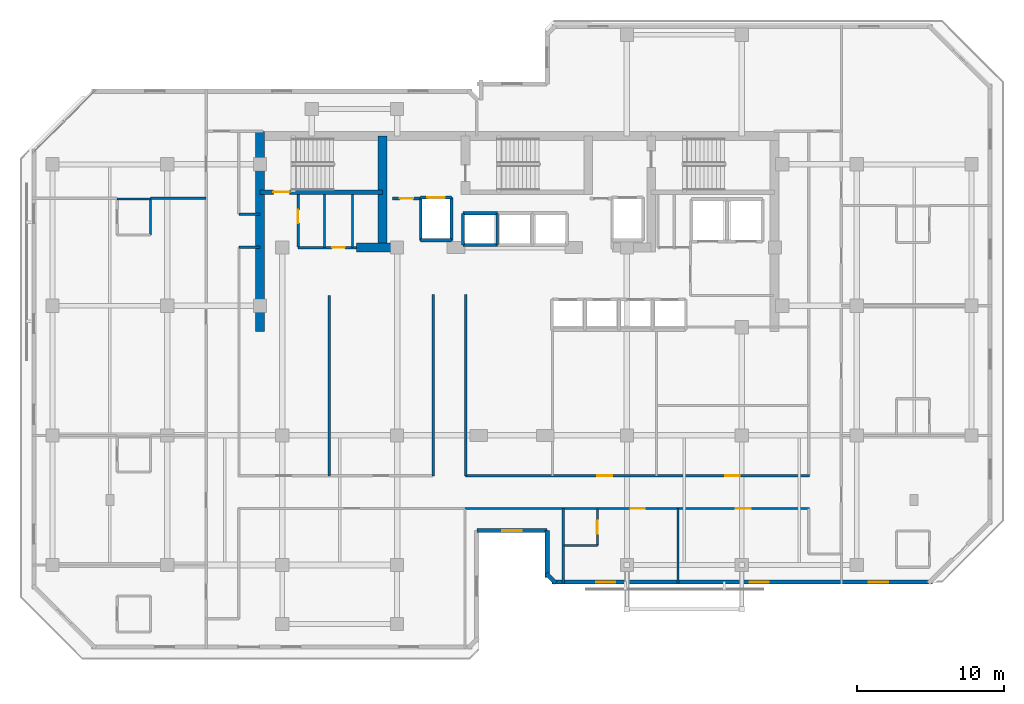
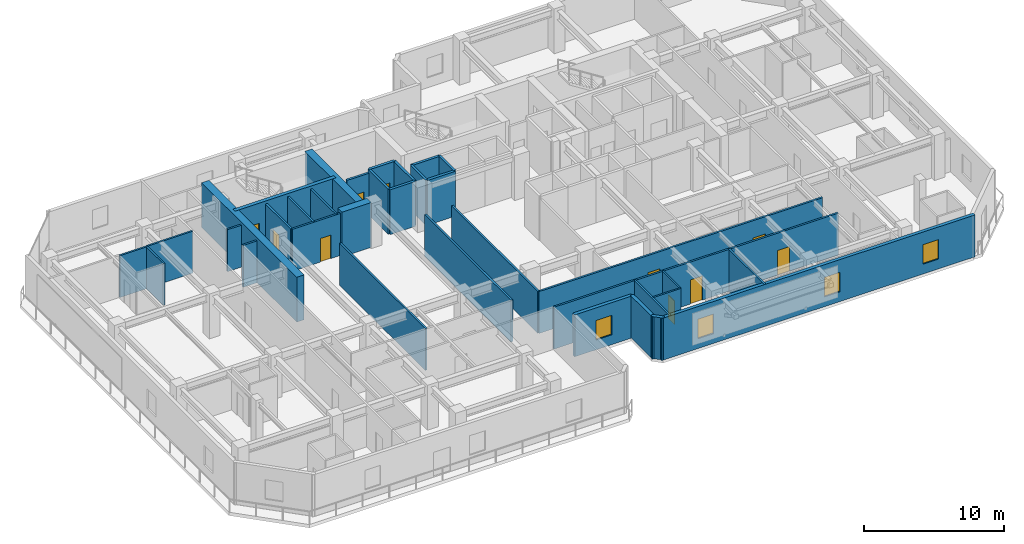
# One storey, part 5 of 10: 35 walls, 10 doors, 4 windows, 14 openings.
"""IFC4 building model written with IfcOpenShell, lengths in metres."""

from ifc_helpers import new_model, si_unit, direction, frame, frame_2d, origin, place, context, subcontext, project, spatial, rectangle, extrude, material, layer, layer_set, type_object, element, fill, save


model = new_model("IFC4")

# Units and contexts
model_context = context("Model", 3, precision=1e-05, world=origin(), true_north=direction((0.0, 1.0)))
body_context = subcontext(model_context, "Body", "Model", "MODEL_VIEW")
ifc_project = project(units=[si_unit("LENGTHUNIT", "METRE"), si_unit("AREAUNIT", "SQUARE_METRE"), si_unit("VOLUMEUNIT", "CUBIC_METRE"), si_unit("PLANEANGLEUNIT", "RADIAN"), si_unit("MASSUNIT", "GRAM", prefix="KILO")], contexts=[model_context])

# Site, building, storey
site_placement = place(None, origin())
site = spatial("IfcSite", under=ifc_project, at=site_placement, CompositionType="ELEMENT")
building_placement = place(site_placement, origin())
building = spatial("IfcBuilding", under=site, at=building_placement, Name="Kestravale Grand Hotel", CompositionType="ELEMENT")
storey_placement = place(building_placement, frame((0.0, 0.0, 189.0)))
storey = spatial("IfcBuildingStorey", under=building, at=storey_placement, Name="L47", CompositionType="ELEMENT", Elevation=189.0)

# Walls
ifc_material_1 = material(Name="Concrete f'c 50 MPa", Category="concrete")
ifc_layer_1 = layer(ifc_material_1, 0.60009765625)
ifc_layer_set_1 = layer_set([ifc_layer_1], Name="EW-CORE-600")
wall_type_1 = type_object("IfcWallType", Name="EW-CORE-600", PredefinedType="SHEAR", material=ifc_layer_set_1)
wall_1_placement = place(storey_placement, frame((21.89990234375, 27.050048828125, 0.0), z_axis=(0.0, 0.0, 1.0), x_axis=(0.0, 1.0, 0.0)))
element("IfcWall", 1, at=wall_1_placement, inside=storey, type_object=wall_type_1, Name="L47 core shear wall W1", PredefinedType="SHEAR", context=body_context, shape_type="SweptSolid", body=[
    extrude(rectangle(XDim=13.570068359375, YDim=0.60009765625, at=frame_2d((6.78515625, 0.0))), origin(), (0.0, 0.0, 1.0), 3.89990234375),
])
wall_2_placement = place(storey_placement, frame((28.449951171875, 32.75, 0.0), z_axis=(0.0, 0.0, 1.0), x_axis=(1.0, 0.0, 0.0)))
element("IfcWall", 2, at=wall_2_placement, inside=storey, type_object=wall_type_1, Name="L47 core shear wall S1", PredefinedType="SHEAR", context=body_context, shape_type="SweptSolid", body=[
    extrude(rectangle(XDim=2.400146484375, YDim=0.60009765625, at=frame_2d((1.2001953125, 0.0))), origin(), (0.0, 0.0, 1.0), 3.89990234375),
])
wall_3_placement = place(storey_placement, frame((30.219970703125, 33.050048828125, 0.0), z_axis=(0.0, 0.0, 1.0), x_axis=(0.0, 1.0, 0.0)))
element("IfcWall", 3, at=wall_3_placement, inside=storey, type_object=wall_type_1, Name="L47 core shear wall X1", PredefinedType="SHEAR", context=body_context, shape_type="SweptSolid", body=[
    extrude(rectangle(XDim=7.27001953125, YDim=0.60009765625, at=frame_2d((3.635009765625, 0.0))), origin(), (0.0, 0.0, 1.0), 3.89990234375),
])

# Wall, opening, window
ifc_material_2 = material(Name="Precast concrete f'c 45 MPa", Category="concrete")
ifc_layer_2 = layer(ifc_material_2, 0.280029296875)
ifc_layer_set_2 = layer_set([ifc_layer_2], Name="EW-PREC-280")
wall_type_2 = type_object("IfcWallType", Name="EW-PREC-280", PredefinedType="SOLIDWALL", material=ifc_layer_set_2)
wall_4_placement = place(storey_placement, frame((36.610107421875, 13.5400390625, 0.0), z_axis=(0.0, 0.0, 1.0), x_axis=(1.0, 0.0, 0.0)))
wall_4 = element("IfcWall", 4, at=wall_4_placement, inside=storey, type_object=wall_type_2, Name="L47 fluted precast facade wall 4", PredefinedType="SOLIDWALL", context=body_context, shape_type="SweptSolid", body=[
    extrude(rectangle(XDim=4.77978515625, YDim=0.280029296875, at=frame_2d((2.389892578125, 0.0))), origin(), (0.0, 0.0, 1.0), 3.64990234375),
])
opening_1_placement = place(wall_4_placement, frame((1.739990234375, 0.0, 0.85009765625)))
opening_1 = element("IfcOpeningElement", 5, at=opening_1_placement, cuts=wall_4, Name="Opening W-GUEST-1300", PredefinedType="OPENING", context=body_context, shape_type="SweptSolid", body=[
    extrude(rectangle(XDim=1.300048828125, YDim=1.699951171875, at=frame_2d((0.64990234375, 0.85009765625))), frame((0.0, 0.14990234375, 0.0), z_axis=(0.0, -1.0, 0.0), x_axis=(1.0, 0.0, 0.0)), (0.0, 0.0, 1.0), 0.300048828125),
])
ifc_material_3 = material(Name="Insulated low-E double glazing in aluminium frame", Category="aluminium")
window_type = type_object("IfcWindowType", Name="W-GUEST-1300", PartitioningType="SINGLE_PANEL", PredefinedType="WINDOW", material=ifc_material_3)
window_1_placement = place(opening_1_placement, origin())
window_1 = element("IfcWindow", 6, at=window_1_placement, inside=storey, type_object=window_type, Name="L47 exterior window 4.1", OverallHeight=1.699951171875, OverallWidth=1.300048828125, PartitioningType="SINGLE_PANEL", PredefinedType="WINDOW", context=body_context, shape_type="SweptSolid", body=[
    extrude(rectangle(XDim=1.300048828125, YDim=1.699951171875, at=frame_2d((0.64990234375, 0.85009765625))), frame((0.0, 0.030029296875, 0.0), z_axis=(0.0, -1.0, 0.0), x_axis=(1.0, 0.0, 0.0)), (0.0, 0.0, 1.0), 0.06005859375),
])
fill(opening_1, window_1)

# Walls
wall_5_placement = place(storey_placement, frame((41.389892578125, 13.5400390625, 0.0), z_axis=(0.0, 0.0, 1.0), x_axis=(0.0, -1.0, 0.0)))
element("IfcWall", 7, at=wall_5_placement, inside=storey, type_object=wall_type_2, Name="L47 fluted precast facade wall 5", PredefinedType="SOLIDWALL", context=body_context, shape_type="SweptSolid", body=[
    extrude(rectangle(XDim=3.179931640625, YDim=0.280029296875, at=frame_2d((1.58984375, 0.0))), origin(), (0.0, 0.0, 1.0), 3.64990234375),
])
wall_6_placement = place(storey_placement, frame((41.32080078125, 10.627197265625, 0.0), z_axis=(0.0, 0.0, 1.0), x_axis=(0.707106781187, -0.707106781187, 0.0)))
element("IfcWall", 8, at=wall_6_placement, inside=storey, type_object=wall_type_2, Name="L47 fluted precast facade wall 6", PredefinedType="SOLIDWALL", context=body_context, shape_type="SweptSolid", body=[
    extrude(rectangle(XDim=0.928466796875, YDim=0.280029296875, at=frame_2d((0.46435546875, 0.0))), origin(), (0.0, 0.0, 1.0), 3.64990234375),
])

# Wall, openings, windows
wall_7_placement = place(storey_placement, frame((41.7099609375, 10.0400390625, 0.0), z_axis=(0.0, 0.0, 1.0), x_axis=(1.0, 0.0, 0.0)))
wall_7 = element("IfcWall", 9, at=wall_7_placement, inside=storey, type_object=wall_type_2, Name="L47 fluted precast facade wall 7", PredefinedType="SOLIDWALL", context=body_context, shape_type="SweptSolid", body=[
    extrude(rectangle(XDim=25.830078125, YDim=0.280029296875, at=frame_2d((12.9150390625, 0.0))), origin(), (0.0, 0.0, 1.0), 3.64990234375),
])
opening_2_placement = place(wall_7_placement, frame((3.0048828125, 0.0, 0.85009765625)))
opening_2 = element("IfcOpeningElement", 10, at=opening_2_placement, cuts=wall_7, Name="Opening W-GUEST-1300", PredefinedType="OPENING", context=body_context, shape_type="SweptSolid", body=[
    extrude(rectangle(XDim=1.300048828125, YDim=1.699951171875, at=frame_2d((0.64990234375, 0.85009765625))), frame((0.0, 0.14990234375, 0.0), z_axis=(0.0, -1.0, 0.0), x_axis=(1.0, 0.0, 0.0)), (0.0, 0.0, 1.0), 0.300048828125),
])
opening_3_placement = place(wall_7_placement, frame((13.4150390625, 0.0, 0.85009765625)))
opening_3 = element("IfcOpeningElement", 11, at=opening_3_placement, cuts=wall_7, Name="Opening W-GUEST-1300", PredefinedType="OPENING", context=body_context, shape_type="SweptSolid", body=[
    extrude(rectangle(XDim=1.300048828125, YDim=1.699951171875, at=frame_2d((0.64990234375, 0.85009765625))), frame((0.0, 0.14990234375, 0.0), z_axis=(0.0, -1.0, 0.0), x_axis=(1.0, 0.0, 0.0)), (0.0, 0.0, 1.0), 0.300048828125),
])
opening_4_placement = place(wall_7_placement, frame((21.52490234375, 0.0, 0.85009765625)))
opening_4 = element("IfcOpeningElement", 12, at=opening_4_placement, cuts=wall_7, Name="Opening W-GUEST-1300", PredefinedType="OPENING", context=body_context, shape_type="SweptSolid", body=[
    extrude(rectangle(XDim=1.300048828125, YDim=1.699951171875, at=frame_2d((0.64990234375, 0.85009765625))), frame((0.0, 0.14990234375, 0.0), z_axis=(0.0, -1.0, 0.0), x_axis=(1.0, 0.0, 0.0)), (0.0, 0.0, 1.0), 0.300048828125),
])
window_2_placement = place(opening_2_placement, origin())
window_2 = element("IfcWindow", 13, at=window_2_placement, inside=storey, type_object=window_type, Name="L47 exterior window 7.1", OverallHeight=1.699951171875, OverallWidth=1.300048828125, PartitioningType="SINGLE_PANEL", PredefinedType="WINDOW", context=body_context, shape_type="SweptSolid", body=[
    extrude(rectangle(XDim=1.300048828125, YDim=1.699951171875, at=frame_2d((0.64990234375, 0.85009765625))), frame((0.0, 0.030029296875, 0.0), z_axis=(0.0, -1.0, 0.0), x_axis=(1.0, 0.0, 0.0)), (0.0, 0.0, 1.0), 0.06005859375),
])
fill(opening_2, window_2)
window_3_placement = place(opening_3_placement, origin())
window_3 = element("IfcWindow", 14, at=window_3_placement, inside=storey, type_object=window_type, Name="L47 exterior window 7.2", OverallHeight=1.699951171875, OverallWidth=1.300048828125, PartitioningType="SINGLE_PANEL", PredefinedType="WINDOW", context=body_context, shape_type="SweptSolid", body=[
    extrude(rectangle(XDim=1.300048828125, YDim=1.699951171875, at=frame_2d((0.64990234375, 0.85009765625))), frame((0.0, 0.030029296875, 0.0), z_axis=(0.0, -1.0, 0.0), x_axis=(1.0, 0.0, 0.0)), (0.0, 0.0, 1.0), 0.06005859375),
])
fill(opening_3, window_3)
window_4_placement = place(opening_4_placement, origin())
window_4 = element("IfcWindow", 15, at=window_4_placement, inside=storey, type_object=window_type, Name="L47 exterior window 7.3", OverallHeight=1.699951171875, OverallWidth=1.300048828125, PartitioningType="SINGLE_PANEL", PredefinedType="WINDOW", context=body_context, shape_type="SweptSolid", body=[
    extrude(rectangle(XDim=1.300048828125, YDim=1.699951171875, at=frame_2d((0.64990234375, 0.85009765625))), frame((0.0, 0.030029296875, 0.0), z_axis=(0.0, -1.0, 0.0), x_axis=(1.0, 0.0, 0.0)), (0.0, 0.0, 1.0), 0.06005859375),
])
fill(opening_4, window_4)

# Wall, opening, door
ifc_material_4 = material(Name="Concrete f'c 45 MPa", Category="concrete")
ifc_layer_3 = layer(ifc_material_4, 0.300048828125)
ifc_layer_set_3 = layer_set([ifc_layer_3], Name="EW-STAIR-300")
wall_type_3 = type_object("IfcWallType", Name="EW-STAIR-300", PredefinedType="SHEAR", material=ifc_layer_set_3)
wall_8_placement = place(storey_placement, frame((21.89990234375, 36.52001953125, 0.0), z_axis=(0.0, 0.0, 1.0), x_axis=(1.0, 0.0, 0.0)))
wall_8 = element("IfcWall", 16, at=wall_8_placement, inside=storey, type_object=wall_type_3, Name="L47 stair enclosure shear wall SST1", PredefinedType="SHEAR", context=body_context, shape_type="SweptSolid", body=[
    extrude(rectangle(XDim=8.320068359375, YDim=0.300048828125, at=frame_2d((4.16015625, 0.0))), origin(), (0.0, 0.0, 1.0), 3.89990234375),
])
opening_5_placement = place(wall_8_placement, frame((0.89990234375, 0.0, 0.0)))
opening_5 = element("IfcOpeningElement", 17, at=opening_5_placement, cuts=wall_8, Name="Opening D-ST-1100", PredefinedType="OPENING", context=body_context, shape_type="SweptSolid", body=[
    extrude(rectangle(XDim=1.10009765625, YDim=2.14990234375, at=frame_2d((0.550048828125, 1.074951171875))), frame((0.0, 0.159912109375, 0.0), z_axis=(0.0, -1.0, 0.0), x_axis=(1.0, 0.0, 0.0)), (0.0, 0.0, 1.0), 0.320068359375),
])
ifc_material_5 = material(Name="Galvanised 90-minute fire-rated steel stair door", Category="steel")
door_type_1 = type_object("IfcDoorType", Name="D-ST-1100", OperationType="NOTDEFINED", PredefinedType="DOOR", material=ifc_material_5)
door_1_placement = place(opening_5_placement, origin())
door_1 = element("IfcDoor", 18, at=door_1_placement, inside=storey, type_object=door_type_1, Name="L47 Stair ST-1 fire door", OperationType="SINGLE_SWING_RIGHT", OverallHeight=2.14990234375, OverallWidth=1.10009765625, PredefinedType="DOOR", context=body_context, shape_type="SweptSolid", body=[
    extrude(rectangle(XDim=1.10009765625, YDim=2.14990234375, at=frame_2d((0.550048828125, 1.074951171875))), frame((0.0, 0.02490234375, 0.0), z_axis=(0.0, -1.0, 0.0), x_axis=(1.0, 0.0, 0.0)), (0.0, 0.0, 1.0), 0.050048828125),
])
fill(opening_5, door_1)

ifc_material_6 = material(Name="Acoustic fire-rated gypsum board partition", Category="other")
ifc_layer_4 = layer(ifc_material_6, 0.159912109375)
ifc_layer_set_4 = layer_set([ifc_layer_4], Name="IW-CORR-160")
wall_type_4 = type_object("IfcWallType", Name="IW-CORR-160", PredefinedType="PARTITIONING", material=ifc_layer_set_4)
wall_9_placement = place(storey_placement, frame((24.47998046875, 32.800048828125, 0.0), z_axis=(0.0, 0.0, 1.0), x_axis=(0.0, 1.0, 0.0)))
wall_9 = element("IfcWall", 19, at=wall_9_placement, inside=storey, type_object=wall_type_4, Name="L47 west core vestibule wall", PredefinedType="PARTITIONING", context=body_context, shape_type="SweptSolid", body=[
    extrude(rectangle(XDim=3.570068359375, YDim=0.159912109375, at=frame_2d((1.78515625, 0.0))), origin(), (0.0, 0.0, 1.0), 3.64990234375),
])
opening_6_placement = place(wall_9_placement, frame((1.603515625, 0.0, 0.0)))
opening_6 = element("IfcOpeningElement", 20, at=opening_6_placement, cuts=wall_9, Name="Opening D-SH-900", PredefinedType="OPENING", context=body_context, shape_type="SweptSolid", body=[
    extrude(rectangle(XDim=0.89990234375, YDim=2.10009765625, at=frame_2d((0.449951171875, 1.050048828125))), frame((0.0, 0.08984375, 0.0), z_axis=(0.0, -1.0, 0.0), x_axis=(1.0, 0.0, 0.0)), (0.0, 0.0, 1.0), 0.179931640625),
])
ifc_material_7 = material(Name="Galvanised 90-minute shaft and service fire door", Category="steel")
door_type_2 = type_object("IfcDoorType", Name="D-SH-900", OperationType="NOTDEFINED", PredefinedType="DOOR", material=ifc_material_7)
door_2_placement = place(opening_6_placement, origin())
door_2 = element("IfcDoor", 21, at=door_2_placement, inside=storey, type_object=door_type_2, Name="D-L47-HK", OperationType="SINGLE_SWING_RIGHT", OverallHeight=2.10009765625, OverallWidth=0.89990234375, PredefinedType="DOOR", context=body_context, shape_type="SweptSolid", body=[
    extrude(rectangle(XDim=0.89990234375, YDim=2.10009765625, at=frame_2d((0.449951171875, 1.050048828125))), frame((0.0, 0.02490234375, 0.0), z_axis=(0.0, -1.0, 0.0), x_axis=(1.0, 0.0, 0.0)), (0.0, 0.0, 1.0), 0.050048828125),
])
fill(opening_6, door_2)

wall_10_placement = place(storey_placement, frame((24.47998046875, 32.75, 0.0), z_axis=(0.0, 0.0, 1.0), x_axis=(1.0, 0.0, 0.0)))
wall_10 = element("IfcWall", 22, at=wall_10_placement, inside=storey, type_object=wall_type_4, Name="W-L47-CWS", PredefinedType="PARTITIONING", context=body_context, shape_type="SweptSolid", body=[
    extrude(rectangle(XDim=3.969970703125, YDim=0.159912109375, at=frame_2d((1.98486328125, 0.0))), origin(), (0.0, 0.0, 1.0), 3.64990234375),
])
opening_7_placement = place(wall_10_placement, frame((2.31005859375, 0.0, 0.0)))
opening_7 = element("IfcOpeningElement", 23, at=opening_7_placement, cuts=wall_10, Name="Opening D-SH-860", PredefinedType="OPENING", context=body_context, shape_type="SweptSolid", body=[
    extrude(rectangle(XDim=0.860107421875, YDim=2.050048828125, at=frame_2d((0.43017578125, 1.02490234375))), frame((0.0, 0.08984375, 0.0), z_axis=(0.0, -1.0, 0.0), x_axis=(1.0, 0.0, 0.0)), (0.0, 0.0, 1.0), 0.179931640625),
])
ifc_material_8 = material(Name="Galvanised 90-minute riser fire door", Category="steel")
door_type_3 = type_object("IfcDoorType", Name="D-SH-860", OperationType="NOTDEFINED", PredefinedType="DOOR", material=ifc_material_8)
door_3_placement = place(opening_7_placement, origin())
door_3 = element("IfcDoor", 24, at=door_3_placement, inside=storey, type_object=door_type_3, Name="D-L47-IDF", OperationType="SINGLE_SWING_RIGHT", OverallHeight=2.050048828125, OverallWidth=0.860107421875, PredefinedType="DOOR", context=body_context, shape_type="SweptSolid", body=[
    extrude(rectangle(XDim=0.860107421875, YDim=2.050048828125, at=frame_2d((0.43017578125, 1.02490234375))), frame((0.0, 0.02490234375, 0.0), z_axis=(0.0, -1.0, 0.0), x_axis=(1.0, 0.0, 0.0)), (0.0, 0.0, 1.0), 0.050048828125),
])
fill(opening_7, door_3)

# Wall, openings, doors
wall_11_placement = place(storey_placement, frame((35.85009765625, 17.260009765625, 0.0), z_axis=(0.0, 0.0, 1.0), x_axis=(1.0, 0.0, 0.0)))
wall_11 = element("IfcWall", 25, at=wall_11_placement, inside=storey, type_object=wall_type_4, Name="W-L47-CE-N", PredefinedType="PARTITIONING", context=body_context, shape_type="SweptSolid", body=[
    extrude(rectangle(XDim=23.349853515625, YDim=0.159912109375, at=frame_2d((11.6748046875, 0.0))), origin(), (0.0, 0.0, 1.0), 3.64990234375),
])
opening_8_placement = place(wall_11_placement, frame((8.949951171875, 0.0, 0.0)))
opening_8 = element("IfcOpeningElement", 26, at=opening_8_placement, cuts=wall_11, Name="Opening D-GUEST-1000", PredefinedType="OPENING", context=body_context, shape_type="SweptSolid", body=[
    extrude(rectangle(XDim=1.0, YDim=2.14990234375, at=frame_2d((0.5, 1.074951171875))), frame((0.0, 0.08984375, 0.0), z_axis=(0.0, -1.0, 0.0), x_axis=(1.0, 0.0, 0.0)), (0.0, 0.0, 1.0), 0.179931640625),
])
opening_9_placement = place(wall_11_placement, frame((17.625, 0.0, 0.0)))
opening_9 = element("IfcOpeningElement", 27, at=opening_9_placement, cuts=wall_11, Name="Opening D-GUEST-1000", PredefinedType="OPENING", context=body_context, shape_type="SweptSolid", body=[
    extrude(rectangle(XDim=1.0, YDim=2.14990234375, at=frame_2d((0.5, 1.074951171875))), frame((0.0, 0.08984375, 0.0), z_axis=(0.0, -1.0, 0.0), x_axis=(1.0, 0.0, 0.0)), (0.0, 0.0, 1.0), 0.179931640625),
])
ifc_material_9 = material(Name="Accessible walnut veneer hotel entrance fire door", Category="wood")
door_type_4 = type_object("IfcDoorType", Name="D-GUEST-1000", OperationType="NOTDEFINED", PredefinedType="DOOR", material=ifc_material_9)
door_4_placement = place(opening_8_placement, origin())
door_4 = element("IfcDoor", 28, at=door_4_placement, inside=storey, type_object=door_type_4, Name="D-L47-RECL-E1", OperationType="SINGLE_SWING_LEFT", OverallHeight=2.14990234375, OverallWidth=1.0, PredefinedType="DOOR", context=body_context, shape_type="SweptSolid", body=[
    extrude(rectangle(XDim=1.0, YDim=2.14990234375, at=frame_2d((0.5, 1.074951171875))), frame((0.0, 0.02490234375, 0.0), z_axis=(0.0, -1.0, 0.0), x_axis=(1.0, 0.0, 0.0)), (0.0, 0.0, 1.0), 0.050048828125),
])
fill(opening_8, door_4)
door_5_placement = place(opening_9_placement, origin())
door_5 = element("IfcDoor", 29, at=door_5_placement, inside=storey, type_object=door_type_4, Name="D-L47-RECL-E2", OperationType="SINGLE_SWING_RIGHT", OverallHeight=2.14990234375, OverallWidth=1.0, PredefinedType="DOOR", context=body_context, shape_type="SweptSolid", body=[
    extrude(rectangle(XDim=1.0, YDim=2.14990234375, at=frame_2d((0.5, 1.074951171875))), frame((0.0, 0.02490234375, 0.0), z_axis=(0.0, -1.0, 0.0), x_axis=(1.0, 0.0, 0.0)), (0.0, 0.0, 1.0), 0.050048828125),
])
fill(opening_9, door_5)

# Walls
for number, where, z_axis, x_axis, name in (
    (30, (33.64990234375, 17.260009765625, 0.0), (0.0, 0.0, 1.0), (0.0, 1.0, 0.0), "W-L47-TRUNK-W"),
    (31, (35.85009765625, 17.260009765625, 0.0), (0.0, 0.0, 1.0), (0.0, 1.0, 0.0), "W-L47-TRUNK-E"),
):
    element("IfcWall", number, at=place(storey_placement, frame(where, z_axis=z_axis, x_axis=x_axis)), inside=storey, type_object=wall_type_4, Name=name, PredefinedType="PARTITIONING", context=body_context, shape_type="SweptSolid", body=[
        extrude(rectangle(XDim=12.2900390625, YDim=0.159912109375, at=frame_2d((6.14501953125, 0.0))), origin(), (0.0, 0.0, 1.0), 3.64990234375),
    ])

# Wall, openings, doors
wall_12_placement = place(storey_placement, frame((35.800048828125, 15.0400390625, 0.0), z_axis=(0.0, 0.0, 1.0), x_axis=(1.0, 0.0, 0.0)))
wall_12 = element("IfcWall", 32, at=wall_12_placement, inside=storey, type_object=wall_type_4, Name="W-L47-CE-S", PredefinedType="PARTITIONING", context=body_context, shape_type="SweptSolid", body=[
    extrude(rectangle(XDim=23.39990234375, YDim=0.159912109375, at=frame_2d((11.699951171875, 0.0))), origin(), (0.0, 0.0, 1.0), 3.64990234375),
])
opening_10_placement = place(wall_12_placement, frame((11.25, 0.0, 0.0)))
opening_10 = element("IfcOpeningElement", 33, at=opening_10_placement, cuts=wall_12, Name="Opening D-GUEST-950", PredefinedType="OPENING", context=body_context, shape_type="SweptSolid", body=[
    extrude(rectangle(XDim=0.949951171875, YDim=2.10009765625, at=frame_2d((0.47509765625, 1.050048828125))), frame((0.0, 0.08984375, 0.0), z_axis=(0.0, -1.0, 0.0), x_axis=(1.0, 0.0, 0.0)), (0.0, 0.0, 1.0), 0.179931640625),
])
opening_11_placement = place(wall_12_placement, frame((18.39990234375, 0.0, 0.0)))
opening_11 = element("IfcOpeningElement", 34, at=opening_11_placement, cuts=wall_12, Name="Opening D-GUEST-1000", PredefinedType="OPENING", context=body_context, shape_type="SweptSolid", body=[
    extrude(rectangle(XDim=1.0, YDim=2.14990234375, at=frame_2d((0.5, 1.074951171875))), frame((0.0, 0.08984375, 0.0), z_axis=(0.0, -1.0, 0.0), x_axis=(1.0, 0.0, 0.0)), (0.0, 0.0, 1.0), 0.179931640625),
])
door_6_placement = place(opening_11_placement, origin())
door_6 = element("IfcDoor", 35, at=door_6_placement, inside=storey, type_object=door_type_4, Name="D-L47-AME", OperationType="SINGLE_SWING_RIGHT", OverallHeight=2.14990234375, OverallWidth=1.0, PredefinedType="DOOR", context=body_context, shape_type="SweptSolid", body=[
    extrude(rectangle(XDim=1.0, YDim=2.14990234375, at=frame_2d((0.5, 1.074951171875))), frame((0.0, 0.02490234375, 0.0), z_axis=(0.0, -1.0, 0.0), x_axis=(1.0, 0.0, 0.0)), (0.0, 0.0, 1.0), 0.050048828125),
])
fill(opening_11, door_6)
ifc_material_10 = material(Name="Walnut veneer hotel guestroom entrance fire door", Category="wood")
door_type_5 = type_object("IfcDoorType", Name="D-GUEST-950", OperationType="NOTDEFINED", PredefinedType="DOOR", material=ifc_material_10)
door_7_placement = place(opening_10_placement, origin())
door_7 = element("IfcDoor", 36, at=door_7_placement, inside=storey, type_object=door_type_5, Name="D-L47-U01-ENT", OperationType="SINGLE_SWING_LEFT", OverallHeight=2.10009765625, OverallWidth=0.949951171875, PredefinedType="DOOR", context=body_context, shape_type="SweptSolid", body=[
    extrude(rectangle(XDim=0.949951171875, YDim=2.10009765625, at=frame_2d((0.47509765625, 1.050048828125))), frame((0.0, 0.02490234375, 0.0), z_axis=(0.0, -1.0, 0.0), x_axis=(1.0, 0.0, 0.0)), (0.0, 0.0, 1.0), 0.050048828125),
])
fill(opening_10, door_7)

# Walls
for number, where, z_axis, x_axis, name in (
    (37, (20.4599609375, 35.02001953125, 0.0), (0.0, 0.0, 1.0), (1.0, 0.0, 0.0), "W-L47-SW-CN"),
    (38, (20.4599609375, 32.780029296875, 0.0), (0.0, 0.0, 1.0), (1.0, 0.0, 0.0), "W-L47-SW-CS"),
):
    element("IfcWall", number, at=place(storey_placement, frame(where, z_axis=z_axis, x_axis=x_axis)), inside=storey, type_object=wall_type_4, Name=name, PredefinedType="PARTITIONING", context=body_context, shape_type="SweptSolid", body=[
        extrude(rectangle(XDim=1.43994140625, YDim=0.159912109375, at=frame_2d((0.719970703125, 0.0))), origin(), (0.0, 0.0, 1.0), 3.64990234375),
    ])

# Wall, opening, door
ifc_material_11 = material(Name="Fire-rated gypsum board on steel studs with mineral wool", Category="steel")
ifc_layer_5 = layer(ifc_material_11, 0.179931640625)
ifc_layer_set_5 = layer_set([ifc_layer_5], Name="IW-FSAE-180")
wall_type_5 = type_object("IfcWallType", Name="IW-FSAE-180", PredefinedType="PARTITIONING", material=ifc_layer_set_5)
wall_13_placement = place(storey_placement, frame((30.89990234375, 36.080078125, 0.0), z_axis=(0.0, 0.0, 1.0), x_axis=(1.0, 0.0, 0.0)))
wall_13 = element("IfcWall", 39, at=wall_13_placement, inside=storey, type_object=wall_type_5, Name="L47 FSAE Lobby 1 smoke barrier", PredefinedType="PARTITIONING", context=body_context, shape_type="SweptSolid", body=[
    extrude(rectangle(XDim=1.85009765625, YDim=0.179931640625, at=frame_2d((0.925048828125, 0.0))), origin(), (0.0, 0.0, 1.0), 3.64990234375),
])
opening_12_placement = place(wall_13_placement, frame((0.47998046875, 0.0, 0.0)))
opening_12 = element("IfcOpeningElement", 40, at=opening_12_placement, cuts=wall_13, Name="Opening D-FSAE-1000", PredefinedType="OPENING", context=body_context, shape_type="SweptSolid", body=[
    extrude(rectangle(XDim=0.89990234375, YDim=2.14990234375, at=frame_2d((0.449951171875, 1.074951171875))), frame((0.0, 0.099853515625, 0.0), z_axis=(0.0, -1.0, 0.0), x_axis=(1.0, 0.0, 0.0)), (0.0, 0.0, 1.0), 0.199951171875),
])
ifc_material_12 = material(Name="Smoke-gasketed FSAE lobby fire door", Category="steel")
door_type_6 = type_object("IfcDoorType", Name="D-FSAE-1000", OperationType="NOTDEFINED", PredefinedType="DOOR", material=ifc_material_12)
door_8_placement = place(opening_12_placement, origin())
door_8 = element("IfcDoor", 41, at=door_8_placement, inside=storey, type_object=door_type_6, Name="L47 FSAE Lobby 1 fire door", OperationType="SINGLE_SWING_RIGHT", OverallHeight=2.14990234375, OverallWidth=0.89990234375, PredefinedType="DOOR", context=body_context, shape_type="SweptSolid", body=[
    extrude(rectangle(XDim=0.89990234375, YDim=2.14990234375, at=frame_2d((0.449951171875, 1.074951171875))), frame((0.0, 0.02490234375, 0.0), z_axis=(0.0, -1.0, 0.0), x_axis=(1.0, 0.0, 0.0)), (0.0, 0.0, 1.0), 0.050048828125),
])
fill(opening_12, door_8)

ifc_material_13 = material(Name="Moisture-resistant tile-backer plumbing chase wall", Category="other")
ifc_layer_6 = layer(ifc_material_13, 0.139892578125)
ifc_layer_set_6 = layer_set([ifc_layer_6], Name="IW-PLB-140")
wall_type_6 = type_object("IfcWallType", Name="IW-PLB-140", PredefinedType="PLUMBINGWALL", material=ifc_layer_set_6)
wall_14_placement = place(storey_placement, frame((44.7900390625, 12.530029296875, 0.0), z_axis=(0.0, 0.0, 1.0), x_axis=(0.0, 1.0, 0.0)))
wall_14 = element("IfcWall", 42, at=wall_14_placement, inside=storey, type_object=wall_type_6, Name="W-L47-U01-BE", PredefinedType="PLUMBINGWALL", context=body_context, shape_type="SweptSolid", body=[
    extrude(rectangle(XDim=2.489990234375, YDim=0.139892578125, at=frame_2d((1.2451171875, 0.0))), origin(), (0.0, 0.0, 1.0), 3.64990234375),
])
opening_13_placement = place(wall_14_placement, frame((0.804931640625, 0.0, 0.0)))
opening_13 = element("IfcOpeningElement", 43, at=opening_13_placement, cuts=wall_14, Name="Opening D-BATH-880", PredefinedType="OPENING", context=body_context, shape_type="SweptSolid", body=[
    extrude(rectangle(XDim=0.8798828125, YDim=2.050048828125, at=frame_2d((0.43994140625, 1.02490234375))), frame((0.0, 0.079833984375, 0.0), z_axis=(0.0, -1.0, 0.0), x_axis=(1.0, 0.0, 0.0)), (0.0, 0.0, 1.0), 0.159912109375),
])
ifc_material_14 = material(Name="Moisture-sealed walnut en-suite bathroom door", Category="wood")
door_type_7 = type_object("IfcDoorType", Name="D-BATH-880", OperationType="NOTDEFINED", PredefinedType="DOOR", material=ifc_material_14)
door_9_placement = place(opening_13_placement, origin())
door_9 = element("IfcDoor", 44, at=door_9_placement, inside=storey, type_object=door_type_7, Name="D-L47-U01-BATH", OperationType="SINGLE_SWING_RIGHT", OverallHeight=2.050048828125, OverallWidth=0.8798828125, PredefinedType="DOOR", context=body_context, shape_type="SweptSolid", body=[
    extrude(rectangle(XDim=0.8798828125, YDim=2.050048828125, at=frame_2d((0.43994140625, 1.02490234375))), frame((0.0, 0.02490234375, 0.0), z_axis=(0.0, -1.0, 0.0), x_axis=(1.0, 0.0, 0.0)), (0.0, 0.0, 1.0), 0.050048828125),
])
fill(opening_13, door_9)

# Walls
wall_15_placement = place(storey_placement, frame((42.5400390625, 12.530029296875, 0.0), z_axis=(0.0, 0.0, 1.0), x_axis=(1.0, 0.0, 0.0)))
element("IfcWall", 45, at=wall_15_placement, inside=storey, type_object=wall_type_6, Name="W-L47-U01-BS", PredefinedType="PLUMBINGWALL", context=body_context, shape_type="SweptSolid", body=[
    extrude(rectangle(XDim=2.25, YDim=0.139892578125, at=frame_2d((1.125, 0.0))), origin(), (0.0, 0.0, 1.0), 3.64990234375),
])
wall_16_placement = place(storey_placement, frame((14.449951171875, 33.610107421875, 0.0), z_axis=(0.0, 0.0, 1.0), x_axis=(0.0, 1.0, 0.0)))
element("IfcWall", 46, at=wall_16_placement, inside=storey, type_object=wall_type_6, Name="W-L47-U04-BE", PredefinedType="PLUMBINGWALL", context=body_context, shape_type="SweptSolid", body=[
    extrude(rectangle(XDim=2.449951171875, YDim=0.139892578125, at=frame_2d((1.22509765625, 0.0))), origin(), (0.0, 0.0, 1.0), 3.64990234375),
])
wall_17_placement = place(storey_placement, frame((12.199951171875, 36.06005859375, 0.0), z_axis=(0.0, 0.0, 1.0), x_axis=(1.0, 0.0, 0.0)))
element("IfcWall", 47, at=wall_17_placement, inside=storey, type_object=wall_type_6, Name="W-L47-U04-BN", PredefinedType="PLUMBINGWALL", context=body_context, shape_type="SweptSolid", body=[
    extrude(rectangle(XDim=2.25, YDim=0.139892578125, at=frame_2d((1.125, 0.0))), origin(), (0.0, 0.0, 1.0), 3.64990234375),
])
ifc_material_15 = material(Name="Concrete f'c 45 MPa", Category="concrete")
ifc_layer_7 = layer(ifc_material_15, 0.199951171875)
ifc_layer_set_7 = layer_set([ifc_layer_7], Name="IW-SHAFT-200")
wall_type_7 = type_object("IfcWallType", Name="IW-SHAFT-200", PredefinedType="SHEAR", material=ifc_layer_set_7)
for number, where, z_axis, x_axis, name in (
    (48, (35.679931640625, 32.919921875, 0.0), (0.0, 0.0, 1.0), (0.0, 1.0, 0.0), "L47 PL-X1 west shaft wall"),
    (49, (38.0, 32.919921875, 0.0), (0.0, 0.0, 1.0), (0.0, 1.0, 0.0), "L47 PL-X2 west shaft wall"),
):
    element("IfcWall", number, at=place(storey_placement, frame(where, z_axis=z_axis, x_axis=x_axis)), inside=storey, type_object=wall_type_7, Name=name, PredefinedType="SHEAR", context=body_context, shape_type="SweptSolid", body=[
        extrude(rectangle(XDim=2.16015625, YDim=0.199951171875, at=frame_2d((1.080078125, 0.0))), origin(), (0.0, 0.0, 1.0), 3.89990234375),
    ])
for number, where, z_axis, x_axis, name in (
    (50, (32.804931640625, 33.2451171875, 0.0), (0.0, 0.0, 1.0), (0.0, 1.0, 0.0), "L47 FL-1 west shaft wall"),
    (51, (34.89501953125, 33.2451171875, 0.0), (0.0, 0.0, 1.0), (0.0, 1.0, 0.0), "L47 FL-1 east shaft wall"),
):
    element("IfcWall", number, at=place(storey_placement, frame(where, z_axis=z_axis, x_axis=x_axis)), inside=storey, type_object=wall_type_7, Name=name, PredefinedType="SHEAR", context=body_context, shape_type="SweptSolid", body=[
        extrude(rectangle(XDim=2.909912109375, YDim=0.199951171875, at=frame_2d((1.455078125, 0.0))), origin(), (0.0, 0.0, 1.0), 3.89990234375),
    ])
ifc_material_16 = material(Name="Concrete f'c 45 MPa", Category="concrete")
ifc_layer_8 = layer(ifc_material_16, 0.219970703125)
ifc_layer_set_8 = layer_set([ifc_layer_8], Name="IW-SHAFT-220")
wall_type_8 = type_object("IfcWallType", Name="IW-SHAFT-220", PredefinedType="SHEAR", material=ifc_layer_set_8)
for number, where, z_axis, x_axis, name in (
    (52, (35.679931640625, 35.080078125, 0.0), (0.0, 0.0, 1.0), (1.0, 0.0, 0.0), "L47 PL-X1 north shaft wall"),
    (53, (35.679931640625, 32.919921875, 0.0), (0.0, 0.0, 1.0), (1.0, 0.0, 0.0), "L47 PL-X1 south shaft wall"),
):
    element("IfcWall", number, at=place(storey_placement, frame(where, z_axis=z_axis, x_axis=x_axis)), inside=storey, type_object=wall_type_8, Name=name, PredefinedType="SHEAR", context=body_context, shape_type="SweptSolid", body=[
        extrude(rectangle(XDim=2.320068359375, YDim=0.219970703125, at=frame_2d((1.16015625, 0.0))), origin(), (0.0, 0.0, 1.0), 3.89990234375),
    ])

# Wall, opening, door
wall_18_placement = place(storey_placement, frame((32.804931640625, 36.155029296875, 0.0), z_axis=(0.0, 0.0, 1.0), x_axis=(1.0, 0.0, 0.0)))
wall_18 = element("IfcWall", 54, at=wall_18_placement, inside=storey, type_object=wall_type_8, Name="L47 FL-1 north shaft wall", PredefinedType="SHEAR", context=body_context, shape_type="SweptSolid", body=[
    extrude(rectangle(XDim=2.090087890625, YDim=0.219970703125, at=frame_2d((1.044921875, 0.0))), origin(), (0.0, 0.0, 1.0), 3.89990234375),
])
opening_14_placement = place(wall_18_placement, frame((0.445068359375, 0.0, 0.0)))
opening_14 = element("IfcOpeningElement", 55, at=opening_14_placement, cuts=wall_18, Name="Opening LD-FSAE-1200", PredefinedType="OPENING", context=body_context, shape_type="SweptSolid", body=[
    extrude(rectangle(XDim=1.199951171875, YDim=2.14990234375, at=frame_2d((0.60009765625, 1.074951171875))), frame((0.0, 0.119873046875, 0.0), z_axis=(0.0, -1.0, 0.0), x_axis=(1.0, 0.0, 0.0)), (0.0, 0.0, 1.0), 0.239990234375),
])
ifc_material_17 = material(Name="Stainless fire-service sliding elevator landing door", Category="steel")
door_type_8 = type_object("IfcDoorType", Name="LD-FSAE-1200", OperationType="NOTDEFINED", PredefinedType="DOOR", material=ifc_material_17)
door_10_placement = place(opening_14_placement, origin())
door_10 = element("IfcDoor", 56, at=door_10_placement, inside=storey, type_object=door_type_8, Name="L47 FL-1 elevator landing sliding door", OperationType="DOUBLE_DOOR_SLIDING", OverallHeight=2.14990234375, OverallWidth=1.199951171875, PredefinedType="DOOR", context=body_context, shape_type="SweptSolid", body=[
    extrude(rectangle(XDim=1.199951171875, YDim=2.14990234375, at=frame_2d((0.60009765625, 1.074951171875))), frame((0.0, 0.02490234375, 0.0), z_axis=(0.0, -1.0, 0.0), x_axis=(1.0, 0.0, 0.0)), (0.0, 0.0, 1.0), 0.050048828125),
])
fill(opening_14, door_10)

# Walls
wall_19_placement = place(storey_placement, frame((32.804931640625, 33.2451171875, 0.0), z_axis=(0.0, 0.0, 1.0), x_axis=(1.0, 0.0, 0.0)))
element("IfcWall", 57, at=wall_19_placement, inside=storey, type_object=wall_type_8, Name="L47 FL-1 south shaft wall", PredefinedType="SHEAR", context=body_context, shape_type="SweptSolid", body=[
    extrude(rectangle(XDim=2.090087890625, YDim=0.219970703125, at=frame_2d((1.044921875, 0.0))), origin(), (0.0, 0.0, 1.0), 3.89990234375),
])
ifc_material_18 = material(Name="Double-stud STC 52 acoustic demising partition", Category="other")
ifc_layer_9 = layer(ifc_material_18, 0.14990234375)
ifc_layer_set_9 = layer_set([ifc_layer_9], Name="IW-UNIT-150")
wall_type_9 = type_object("IfcWallType", Name="IW-UNIT-150", PredefinedType="PARTITIONING", material=ifc_layer_set_9)
for number, where, z_axis, x_axis, name in (
    (58, (26.280029296875, 32.75, 0.0), (0.0, 0.0, 1.0), (0.0, 1.0, 0.0), "W-L47-CC1-1"),
    (59, (28.179931640625, 32.75, 0.0), (0.0, 0.0, 1.0), (0.0, 1.0, 0.0), "W-L47-CC1-2"),
):
    element("IfcWall", number, at=place(storey_placement, frame(where, z_axis=z_axis, x_axis=x_axis)), inside=storey, type_object=wall_type_9, Name=name, PredefinedType="PARTITIONING", context=body_context, shape_type="SweptSolid", body=[
        extrude(rectangle(XDim=3.6201171875, YDim=0.14990234375, at=frame_2d((1.81005859375, 0.0))), origin(), (0.0, 0.0, 1.0), 3.64990234375),
    ])
wall_20_placement = place(storey_placement, frame((26.60009765625, 17.260009765625, 0.0), z_axis=(0.0, 0.0, 1.0), x_axis=(0.0, 1.0, 0.0)))
element("IfcWall", 60, at=wall_20_placement, inside=storey, type_object=wall_type_9, Name="W-L47-RCLW-M", PredefinedType="PARTITIONING", context=body_context, shape_type="SweptSolid", body=[
    extrude(rectangle(XDim=12.239990234375, YDim=0.14990234375, at=frame_2d((6.1201171875, 0.0))), origin(), (0.0, 0.0, 1.0), 3.64990234375),
])
for number, where, z_axis, x_axis, name in (
    (61, (42.47998046875, 9.919921875, 0.0), (0.0, 0.0, 1.0), (0.0, 1.0, 0.0), "W-L47-ES-1"),
    (62, (50.260009765625, 9.919921875, 0.0), (0.0, 0.0, 1.0), (0.0, 1.0, 0.0), "W-L47-ES-2"),
):
    element("IfcWall", number, at=place(storey_placement, frame(where, z_axis=z_axis, x_axis=x_axis)), inside=storey, type_object=wall_type_9, Name=name, PredefinedType="PARTITIONING", context=body_context, shape_type="SweptSolid", body=[
        extrude(rectangle(XDim=5.1201171875, YDim=0.14990234375, at=frame_2d((2.56005859375, 0.0))), origin(), (0.0, 0.0, 1.0), 3.64990234375),
    ])
wall_21_placement = place(storey_placement, frame((14.449951171875, 36.10009765625, 0.0), z_axis=(0.0, 0.0, 1.0), x_axis=(1.0, 0.0, 0.0)))
element("IfcWall", 63, at=wall_21_placement, inside=storey, type_object=wall_type_9, Name="W-L47-WW-3", PredefinedType="PARTITIONING", context=body_context, shape_type="SweptSolid", body=[
    extrude(rectangle(XDim=3.7900390625, YDim=0.14990234375, at=frame_2d((1.89501953125, 0.0))), origin(), (0.0, 0.0, 1.0), 3.64990234375),
])

save(model, "model.ifc")
